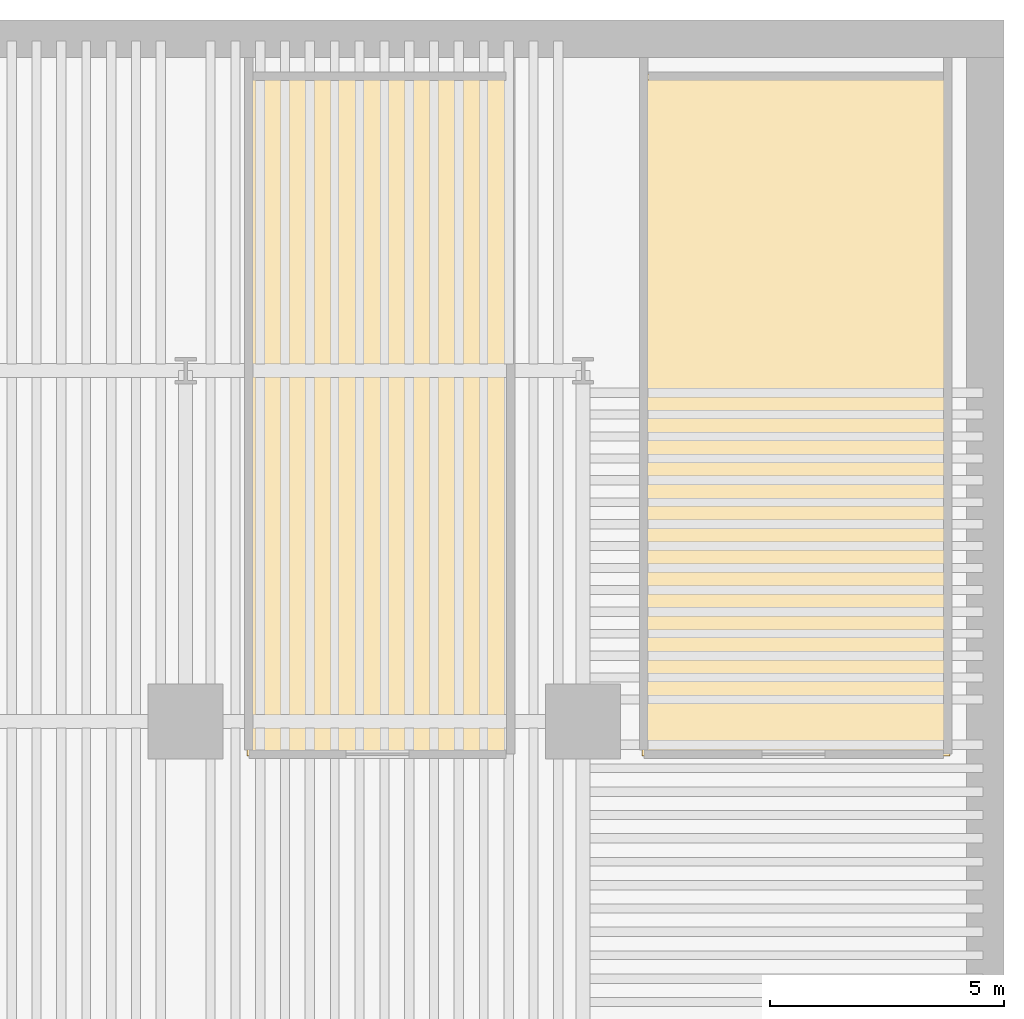
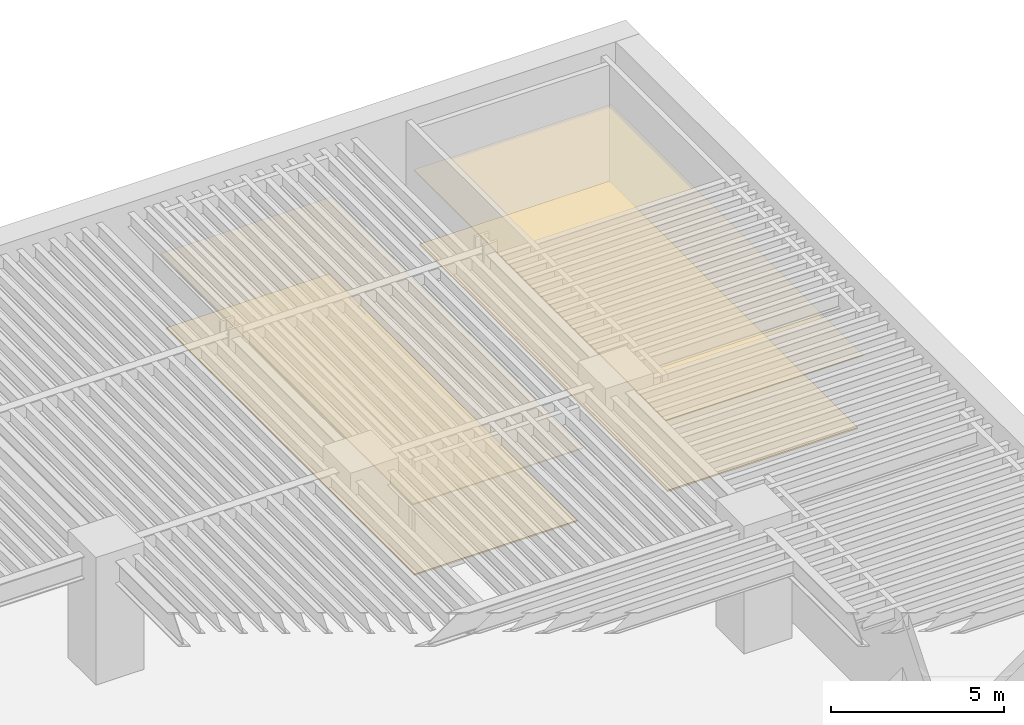
# One storey, part 9 of 9: 4 coverings.
"""IFC4 building model written with IfcOpenShell, lengths in metres."""

from ifc_helpers import new_model, si_unit, direction, frame, origin, place, context, subcontext, project, spatial, polyline, outline, extrude, material, layer, layer_set, type_object, element, save


model = new_model("IFC4")

# Units and contexts
model_context = context("Model", 3, precision=1e-05, world=origin(), true_north=direction((0.0, 1.0)))
body_context = subcontext(model_context, "Body", "Model", "MODEL_VIEW")
ifc_project = project(units=[si_unit("LENGTHUNIT", "METRE"), si_unit("AREAUNIT", "SQUARE_METRE"), si_unit("VOLUMEUNIT", "CUBIC_METRE"), si_unit("PLANEANGLEUNIT", "RADIAN"), si_unit("MASSUNIT", "GRAM", prefix="KILO")], contexts=[model_context])

# Site, building, storey
site_placement = place(None, origin())
site = spatial("IfcSite", under=ifc_project, at=site_placement, CompositionType="ELEMENT")
building_placement = place(site_placement, origin())
building = spatial("IfcBuilding", under=site, at=building_placement, Name="Caeloran Harvest Quay", CompositionType="ELEMENT")
storey_placement = place(building_placement, frame((0.0, 0.0, -13.5)))
storey = spatial("IfcBuildingStorey", under=building, at=storey_placement, Name="B03", CompositionType="ELEMENT", Elevation=-13.5)

# Coverings
ifc_material_1 = material(Name="Perforated Mineral-Fibre Acoustic Ceiling Tile", Category="ceiling")
ifc_layer_1 = layer(ifc_material_1, 0.0400390625, Name="Perforated Mineral-Fibre Acoustic Ceiling Tile")
ifc_layer_set_1 = layer_set([ifc_layer_1], Name="Perforated Mineral-Fibre Acoustic Ceiling Tile")
covering_type_1 = type_object("IfcCoveringType", Name="COV-CEILING-ACOUSTIC", PredefinedType="CEILING", material=ifc_layer_set_1)
covering_1_placement = place(storey_placement, frame((0.0, 0.0, 2.60009765625)))
element("IfcCovering", 1, at=covering_1_placement, inside=storey, type_object=covering_type_1, Name="Reverse-Osmosis Water Treatment Plant Acoustic Ceiling", PredefinedType="CEILING", context=body_context, shape_type="SweptSolid", body=[
    extrude(outline(polyline([(58.840087890625, 44.840087890625), (58.840087890625, 30.260009765625), (52.260009765625, 30.260009765625), (52.260009765625, 44.840087890625), (58.840087890625, 44.840087890625)])), origin(), (0.0, 0.0, 1.0), 0.039794921875),
])
covering_2_placement = place(storey_placement, frame((0.0, 0.0, 2.60009765625)))
element("IfcCovering", 2, at=covering_2_placement, inside=storey, type_object=covering_type_1, Name="Standby Emergency Diesel Generator Hall Acoustic Ceiling", PredefinedType="CEILING", context=body_context, shape_type="SweptSolid", body=[
    extrude(outline(polyline([(49.489990234375, 44.840087890625), (49.489990234375, 30.260009765625), (43.81005859375, 30.260009765625), (43.81005859375, 44.840087890625), (49.489990234375, 44.840087890625)])), origin(), (0.0, 0.0, 1.0), 0.039794921875),
])
ifc_material_2 = material(Name="Calcium-Sulphate Raised Access Floor and Terrazzo Finish", Category="flooring")
ifc_layer_2 = layer(ifc_material_2, 0.050048828125, Name="Calcium-Sulphate Raised Access Floor and Terrazzo Finish")
ifc_layer_set_2 = layer_set([ifc_layer_2], Name="Calcium-Sulphate Raised Access Floor and Terrazzo Finish")
covering_type_2 = type_object("IfcCoveringType", Name="COV-FLOOR-RAISED", PredefinedType="FLOORING", material=ifc_layer_set_2)
covering_3_placement = place(storey_placement, origin())
element("IfcCovering", 3, at=covering_3_placement, inside=storey, type_object=covering_type_2, Name="Reverse-Osmosis Water Treatment Plant Raised Finish Flooring", PredefinedType="FLOORING", context=body_context, shape_type="SweptSolid", body=[
    extrude(outline(polyline([(58.719970703125, 44.719970703125), (58.719970703125, 30.3798828125), (52.3798828125, 30.3798828125), (52.3798828125, 44.719970703125), (58.719970703125, 44.719970703125)])), origin(), (0.0, 0.0, 1.0), 0.050048828125),
])
covering_4_placement = place(storey_placement, origin())
element("IfcCovering", 4, at=covering_4_placement, inside=storey, type_object=covering_type_2, Name="Standby Emergency Diesel Generator Hall Raised Finish Flooring", PredefinedType="FLOORING", context=body_context, shape_type="SweptSolid", body=[
    extrude(outline(polyline([(49.3701171875, 44.719970703125), (49.3701171875, 30.3798828125), (43.929931640625, 30.3798828125), (43.929931640625, 44.719970703125), (49.3701171875, 44.719970703125)])), origin(), (0.0, 0.0, 1.0), 0.050048828125),
])

save(model, "model.ifc")
